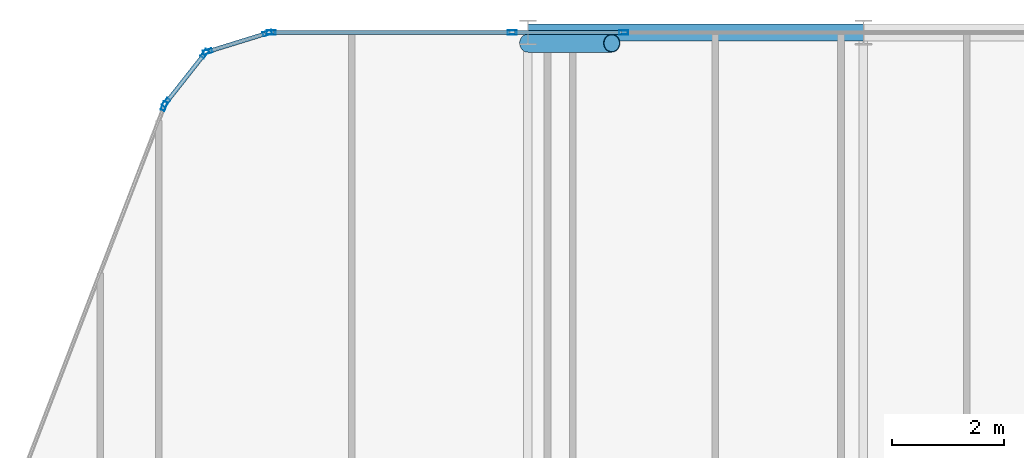
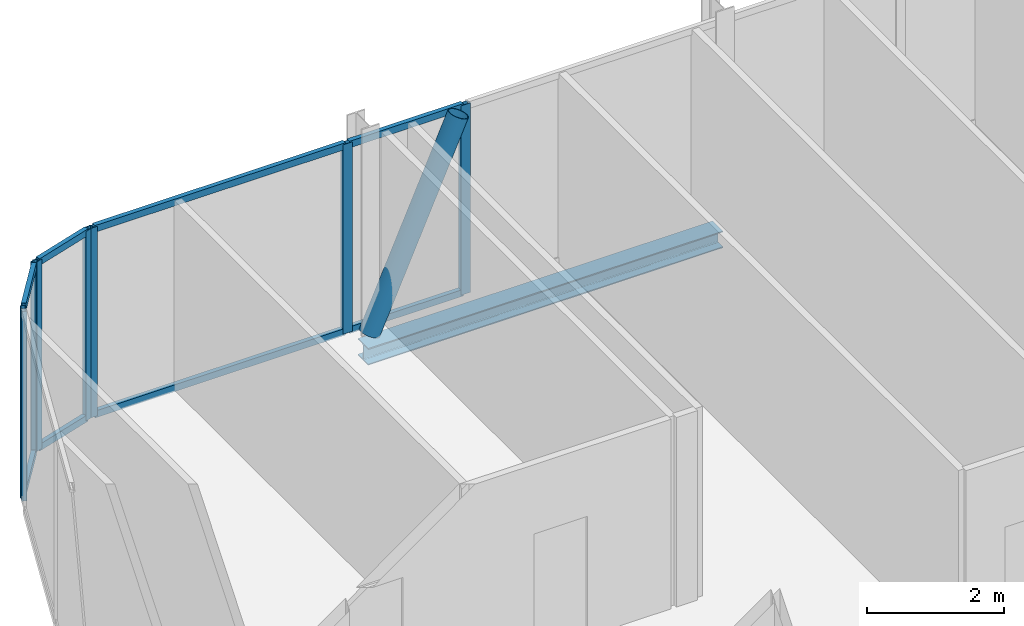
# One storey, part 18 of 29: 17 members, 1 beam, 5 elements without a shape of their own.
"""IFC4 building model written with IfcOpenShell, lengths in metres."""

from ifc_helpers import new_model, si_unit, direction, frame, origin, origin_2d, place, context, subcontext, project, spatial, hollow_rectangle, hollow_circle, i_section, extrude, material, layer, layer_set, material_profile, profile_set, type_object, element, aggregate, save


model = new_model("IFC4")

# Units and contexts
model_context = context("Model", 3, precision=1e-05, world=origin(), true_north=direction((0.0, 1.0)))
body_context = subcontext(model_context, "Body", "Model", "MODEL_VIEW")
ifc_project = project(units=[si_unit("LENGTHUNIT", "METRE"), si_unit("AREAUNIT", "SQUARE_METRE"), si_unit("VOLUMEUNIT", "CUBIC_METRE"), si_unit("PLANEANGLEUNIT", "RADIAN"), si_unit("MASSUNIT", "GRAM", prefix="KILO")], contexts=[model_context])

# Site, building, storey
site_placement = place(None, origin())
site = spatial("IfcSite", under=ifc_project, at=site_placement, CompositionType="ELEMENT")
building_placement = place(site_placement, origin())
building = spatial("IfcBuilding", under=site, at=building_placement, Name="Keshet Zoharim Tower", CompositionType="ELEMENT")
storey_placement = place(building_placement, frame((0.0, 0.0, 192.10009765625)))
storey = spatial("IfcBuildingStorey", under=building, at=storey_placement, Name="L47", CompositionType="ELEMENT", Elevation=192.10009765625)

# Beam
ifc_material_1 = material(Name="Steel S355", Category="steel")
ifc_material_profile_1 = material_profile(ifc_material_1, i_section(OverallWidth=0.300048828125, OverallDepth=0.300048828125, WebThickness=0.010986328125, FlangeThickness=0.01904296875, FilletRadius=0.027099609375, at=origin_2d()), Name="HEB300")
ifc_profile_set_1 = profile_set([ifc_material_profile_1], Name="Steel S355")
beam_type = type_object("IfcBeamType", Name="BM-PRI-HB300", PredefinedType="BEAM", material=ifc_profile_set_1)
beam_placement = place(storey_placement, frame((21.0, 53.89990234375, -0.460205078125), z_axis=(1.0, 0.0, 0.0), x_axis=(0.0, 1.0, 0.0)))
element("IfcBeam", 1, at=beam_placement, inside=storey, type_object=beam_type, Name="L47 Primary Girder X-019", PredefinedType="BEAM", context=body_context, shape_type="SweptSolid", body=[
    extrude(i_section(OverallWidth=0.300048828125, OverallDepth=0.300048828125, WebThickness=0.010986328125, FlangeThickness=0.01904296875, FilletRadius=0.027099609375, at=origin_2d()), origin(), (0.0, 0.0, 1.0), 6.0),
])

# Curtain wall, member
ifc_material_2 = material(Name="Aluminium 6063-T6", Category="aluminium")
ifc_layer = layer(ifc_material_2, 0.139892578125)
ifc_layer_set = layer_set([ifc_layer], Name="Aluminium 6063-T6")
curtain_wall_type = type_object("IfcCurtainWallType", Name="CW-SYS-05", PredefinedType="NOTDEFINED", material=ifc_layer_set)
curtain_wall_1_placement = place(storey_placement, origin())
curtain_wall_1 = element("IfcCurtainWall", 2, at=curtain_wall_1_placement, inside=storey, type_object=curtain_wall_type, Name="L47 Unitised Curtain Wall 13", PredefinedType="NOTDEFINED")
ifc_material_profile_2 = material_profile(ifc_material_2, hollow_rectangle(XDim=0.074951171875, YDim=0.159912109375, WallThickness=0.00390625, at=origin_2d()), Name="MUL-75x160")
ifc_profile_set_2 = profile_set([ifc_material_profile_2], Name="Aluminium 6063-T6")
member_type_1 = type_object("IfcMemberType", Name="CWM-M15", PredefinedType="MULLION", material=ifc_profile_set_2)
member_1_placement = place(storey_placement, frame((14.494384765625, 52.58544921875, 0.0), z_axis=(0.0, 0.0, 1.0), x_axis=(-0.933341404361, 0.358990003907, 0.0)))
member_1 = element("IfcMember", 3, at=member_1_placement, type_object=member_type_1, Name="CW-05 mullion 4", PredefinedType="MULLION", context=body_context, shape_type="SweptSolid", body=[
    extrude(hollow_rectangle(XDim=0.074951171875, YDim=0.159912109375, WallThickness=0.00390625, at=origin_2d()), origin(), (0.0, 0.0, 1.0), 3.389892578125),
])
aggregate(curtain_wall_1, [member_1])

# Curtain wall, members
curtain_wall_2_placement = place(storey_placement, origin())
curtain_wall_2 = element("IfcCurtainWall", 4, at=curtain_wall_2_placement, inside=storey, type_object=curtain_wall_type, Name="L47 Unitised Curtain Wall 14", PredefinedType="NOTDEFINED")
member_2_placement = place(storey_placement, frame((14.528564453125, 52.6455078125, 0.0), z_axis=(0.0, 0.0, 1.0), x_axis=(-0.785292825205, 0.619124525989, 0.0)))
member_2 = element("IfcMember", 5, at=member_2_placement, type_object=member_type_1, Name="CW-05 mullion 1", PredefinedType="MULLION", context=body_context, shape_type="SweptSolid", body=[
    extrude(hollow_rectangle(XDim=0.074951171875, YDim=0.159912109375, WallThickness=0.00390625, at=origin_2d()), origin(), (0.0, 0.0, 1.0), 3.389892578125),
])
member_3_placement = place(storey_placement, frame((15.21923828125, 53.521484375, 0.0), z_axis=(0.0, 0.0, 1.0), x_axis=(-0.785292825205, 0.619124525989, 0.0)))
member_3 = element("IfcMember", 6, at=member_3_placement, type_object=member_type_1, Name="CW-05 mullion 2", PredefinedType="MULLION", context=body_context, shape_type="SweptSolid", body=[
    extrude(hollow_rectangle(XDim=0.074951171875, YDim=0.159912109375, WallThickness=0.00390625, at=origin_2d()), origin(), (0.0, 0.0, 1.0), 3.389892578125),
])

curtain_wall_3_placement = place(storey_placement, origin())
curtain_wall_3 = element("IfcCurtainWall", 7, at=curtain_wall_3_placement, inside=storey, type_object=curtain_wall_type, Name="L47 Unitised Curtain Wall 15", PredefinedType="NOTDEFINED")
member_4_placement = place(storey_placement, frame((15.2744140625, 53.559326171875, 0.0), z_axis=(0.0, 0.0, 1.0), x_axis=(-0.295921857984, 0.955212151288, 0.0)))
member_4 = element("IfcMember", 8, at=member_4_placement, type_object=member_type_1, Name="CW-05 mullion 1", PredefinedType="MULLION", context=body_context, shape_type="SweptSolid", body=[
    extrude(hollow_rectangle(XDim=0.074951171875, YDim=0.159912109375, WallThickness=0.00390625, at=origin_2d()), origin(), (0.0, 0.0, 1.0), 3.389892578125),
])
member_5_placement = place(storey_placement, frame((16.340576171875, 53.8896484375, 0.0), z_axis=(0.0, 0.0, 1.0), x_axis=(-0.295921857984, 0.955212151288, 0.0)))
member_5 = element("IfcMember", 9, at=member_5_placement, type_object=member_type_1, Name="CW-05 mullion 2", PredefinedType="MULLION", context=body_context, shape_type="SweptSolid", body=[
    extrude(hollow_rectangle(XDim=0.074951171875, YDim=0.159912109375, WallThickness=0.00390625, at=origin_2d()), origin(), (0.0, 0.0, 1.0), 3.389892578125),
])

curtain_wall_4_placement = place(storey_placement, origin())
curtain_wall_4 = element("IfcCurtainWall", 10, at=curtain_wall_4_placement, inside=storey, type_object=curtain_wall_type, Name="L47 Unitised Curtain Wall 16", PredefinedType="NOTDEFINED")
member_6_placement = place(storey_placement, frame((16.408935546875, 53.89990234375, 0.0), z_axis=(0.0, 0.0, 1.0), x_axis=(0.0, 1.0, 0.0)))
member_6 = element("IfcMember", 11, at=member_6_placement, type_object=member_type_1, Name="CW-05 mullion 1", PredefinedType="MULLION", context=body_context, shape_type="SweptSolid", body=[
    extrude(hollow_rectangle(XDim=0.074951171875, YDim=0.159912109375, WallThickness=0.00390625, at=origin_2d()), origin(), (0.0, 0.0, 1.0), 3.389892578125),
])
member_7_placement = place(storey_placement, frame((20.716796875, 53.89990234375, 0.0), z_axis=(0.0, 0.0, 1.0), x_axis=(0.0, 1.0, 0.0)))
member_7 = element("IfcMember", 12, at=member_7_placement, type_object=member_type_1, Name="CW-05 mullion 2", PredefinedType="MULLION", context=body_context, shape_type="SweptSolid", body=[
    extrude(hollow_rectangle(XDim=0.074951171875, YDim=0.159912109375, WallThickness=0.00390625, at=origin_2d()), origin(), (0.0, 0.0, 1.0), 3.389892578125),
])

# Curtain wall, member
curtain_wall_5_placement = place(storey_placement, origin())
curtain_wall_5 = element("IfcCurtainWall", 13, at=curtain_wall_5_placement, inside=storey, type_object=curtain_wall_type, Name="L47 Unitised Curtain Wall 16 Part 2", PredefinedType="NOTDEFINED")
member_8_placement = place(storey_placement, frame((22.713134765625, 53.89990234375, 0.0), z_axis=(0.0, 0.0, 1.0), x_axis=(0.0, 1.0, 0.0)))
member_8 = element("IfcMember", 14, at=member_8_placement, type_object=member_type_1, Name="CW-05 mullion 2", PredefinedType="MULLION", context=body_context, shape_type="SweptSolid", body=[
    extrude(hollow_rectangle(XDim=0.074951171875, YDim=0.159912109375, WallThickness=0.00390625, at=origin_2d()), origin(), (0.0, 0.0, 1.0), 3.389892578125),
])

# Member
ifc_material_profile_3 = material_profile(ifc_material_2, hollow_rectangle(XDim=0.074951171875, YDim=0.1201171875, WallThickness=0.00390625, at=origin_2d()), Name="TRN-75x120")
ifc_profile_set_3 = profile_set([ifc_material_profile_3], Name="Aluminium 6063-T6")
member_type_2 = type_object("IfcMemberType", Name="CWT-T12", PredefinedType="USERDEFINED", material=ifc_profile_set_3)
member_9_placement = place(storey_placement, frame((14.55029296875, 52.6728515625, 0.034912109375), z_axis=(0.619099165969, 0.78531281837, 0.0), x_axis=(-0.78531281837, 0.619099165969, 0.0)))
member_9 = element("IfcMember", 15, at=member_9_placement, type_object=member_type_2, Name="CW-05 transom 1.1", ObjectType="TRANSOM", PredefinedType="USERDEFINED", context=body_context, shape_type="SweptSolid", body=[
    extrude(hollow_rectangle(XDim=0.074951171875, YDim=0.1201171875, WallThickness=0.00390625, at=origin_2d()), origin(), (0.0, 0.0, 1.0), 1.0458984375),
])

member_10_placement = place(storey_placement, frame((14.55029296875, 52.6728515625, 3.35498046875), z_axis=(0.619099165969, 0.78531281837, 0.0), x_axis=(-0.78531281837, 0.619099165969, 0.0)))
member_10 = element("IfcMember", 16, at=member_10_placement, type_object=member_type_2, Name="CW-05 transom 1.2", ObjectType="TRANSOM", PredefinedType="USERDEFINED", context=body_context, shape_type="SweptSolid", body=[
    extrude(hollow_rectangle(XDim=0.074951171875, YDim=0.1201171875, WallThickness=0.00390625, at=origin_2d()), origin(), (0.0, 0.0, 1.0), 1.0458984375),
])

aggregate(curtain_wall_2, [member_2, member_3, member_9, member_10])

member_11_placement = place(storey_placement, frame((15.307861328125, 53.56982421875, 0.034912109375), z_axis=(0.955212093062, 0.295922045933, 0.0), x_axis=(-0.295922045933, 0.955212093062, 0.0)))
member_11 = element("IfcMember", 17, at=member_11_placement, type_object=member_type_2, Name="CW-05 transom 1.1", ObjectType="TRANSOM", PredefinedType="USERDEFINED", context=body_context, shape_type="SweptSolid", body=[
    extrude(hollow_rectangle(XDim=0.074951171875, YDim=0.1201171875, WallThickness=0.00390625, at=origin_2d()), origin(), (0.0, 0.0, 1.0), 1.046142578125),
])

member_12_placement = place(storey_placement, frame((15.307861328125, 53.56982421875, 3.35498046875), z_axis=(0.955212093062, 0.295922045933, 0.0), x_axis=(-0.295922045933, 0.955212093062, 0.0)))
member_12 = element("IfcMember", 18, at=member_12_placement, type_object=member_type_2, Name="CW-05 transom 1.2", ObjectType="TRANSOM", PredefinedType="USERDEFINED", context=body_context, shape_type="SweptSolid", body=[
    extrude(hollow_rectangle(XDim=0.074951171875, YDim=0.1201171875, WallThickness=0.00390625, at=origin_2d()), origin(), (0.0, 0.0, 1.0), 1.046142578125),
])

aggregate(curtain_wall_3, [member_4, member_5, member_11, member_12])

member_13_placement = place(storey_placement, frame((16.444091796875, 53.89990234375, 0.034912109375), z_axis=(1.0, 0.0, 0.0), x_axis=(0.0, 1.0, 0.0)))
member_13 = element("IfcMember", 19, at=member_13_placement, type_object=member_type_2, Name="CW-05 transom 1.1", ObjectType="TRANSOM", PredefinedType="USERDEFINED", context=body_context, shape_type="SweptSolid", body=[
    extrude(hollow_rectangle(XDim=0.074951171875, YDim=0.1201171875, WallThickness=0.00390625, at=origin_2d()), origin(), (0.0, 0.0, 1.0), 4.23779296875),
])

member_14_placement = place(storey_placement, frame((16.444091796875, 53.89990234375, 3.35498046875), z_axis=(1.0, 0.0, 0.0), x_axis=(0.0, 1.0, 0.0)))
member_14 = element("IfcMember", 20, at=member_14_placement, type_object=member_type_2, Name="CW-05 transom 1.2", ObjectType="TRANSOM", PredefinedType="USERDEFINED", context=body_context, shape_type="SweptSolid", body=[
    extrude(hollow_rectangle(XDim=0.074951171875, YDim=0.1201171875, WallThickness=0.00390625, at=origin_2d()), origin(), (0.0, 0.0, 1.0), 4.23779296875),
])

aggregate(curtain_wall_4, [member_6, member_7, member_13, member_14])

member_15_placement = place(storey_placement, frame((20.751953125, 53.89990234375, 0.034912109375), z_axis=(1.0, 0.0, 0.0), x_axis=(0.0, 1.0, 0.0)))
member_15 = element("IfcMember", 21, at=member_15_placement, type_object=member_type_2, Name="CW-05 transom 1.1", ObjectType="TRANSOM", PredefinedType="USERDEFINED", context=body_context, shape_type="SweptSolid", body=[
    extrude(hollow_rectangle(XDim=0.074951171875, YDim=0.1201171875, WallThickness=0.00390625, at=origin_2d()), origin(), (0.0, 0.0, 1.0), 1.926025390625),
])

member_16_placement = place(storey_placement, frame((20.751953125, 53.89990234375, 3.35498046875), z_axis=(1.0, 0.0, 0.0), x_axis=(0.0, 1.0, 0.0)))
member_16 = element("IfcMember", 22, at=member_16_placement, type_object=member_type_2, Name="CW-05 transom 1.2", ObjectType="TRANSOM", PredefinedType="USERDEFINED", context=body_context, shape_type="SweptSolid", body=[
    extrude(hollow_rectangle(XDim=0.074951171875, YDim=0.1201171875, WallThickness=0.00390625, at=origin_2d()), origin(), (0.0, 0.0, 1.0), 1.926025390625),
])

aggregate(curtain_wall_5, [member_8, member_15, member_16])

ifc_material_profile_4 = material_profile(ifc_material_1, hollow_circle(Radius=0.161865234375, WallThickness=0.012451171875, at=origin_2d()), Name="CHS323x12.5")
ifc_profile_set_4 = profile_set([ifc_material_profile_4], Name="Steel S355")
member_type_3 = type_object("IfcMemberType", Name="MB-BR-C323", PredefinedType="BRACE", material=ifc_profile_set_4)
member_17_placement = place(storey_placement, frame((21.0, 53.7099609375, 0.0), z_axis=(0.40464689807, 0.0, 0.914473011019), x_axis=(0.0, 1.0, 0.0)))
element("IfcMember", 23, at=member_17_placement, inside=storey, type_object=member_type_3, Name="L47 Perimeter Tube Brace 02", PredefinedType="BRACE", context=body_context, shape_type="SweptSolid", body=[
    extrude(hollow_circle(Radius=0.161865234375, WallThickness=0.012451171875, at=origin_2d()), origin(), (0.0, 0.0, 1.0), 3.70703125),
])

save(model, "model.ifc")
